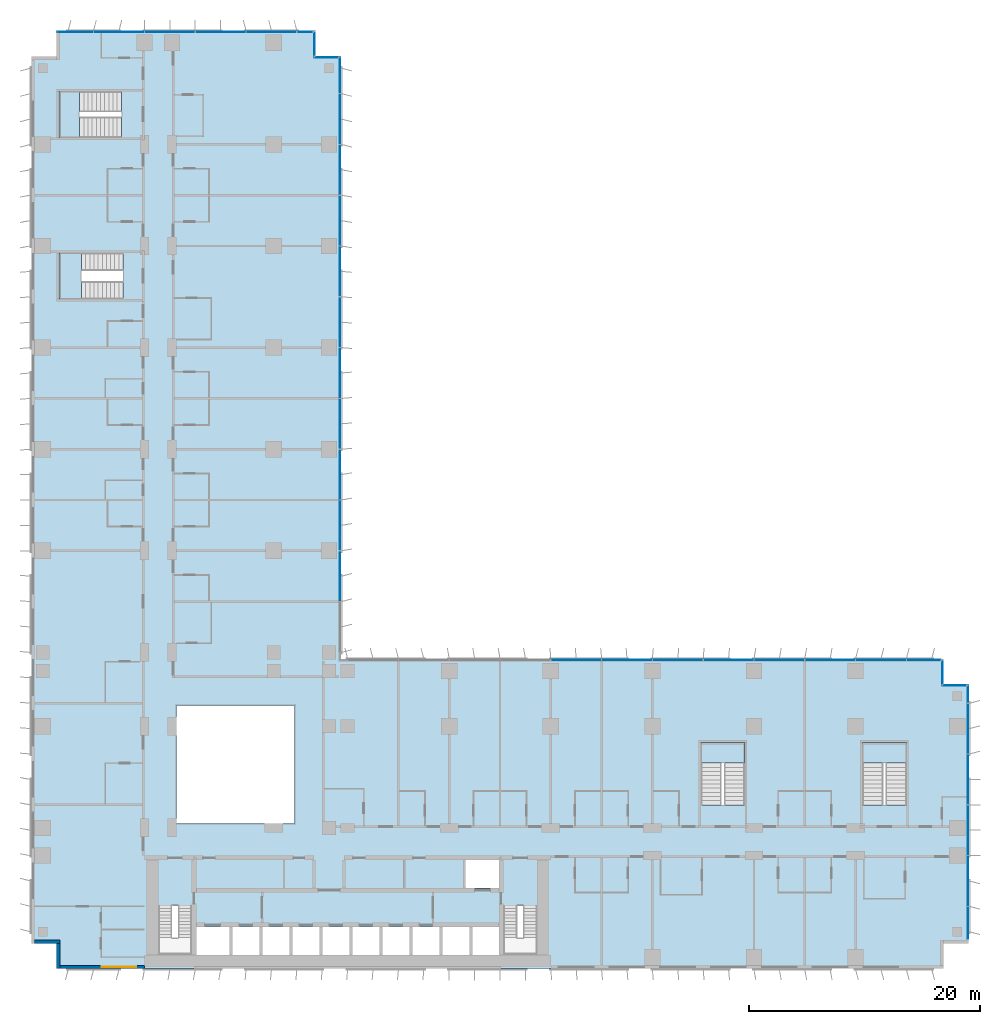
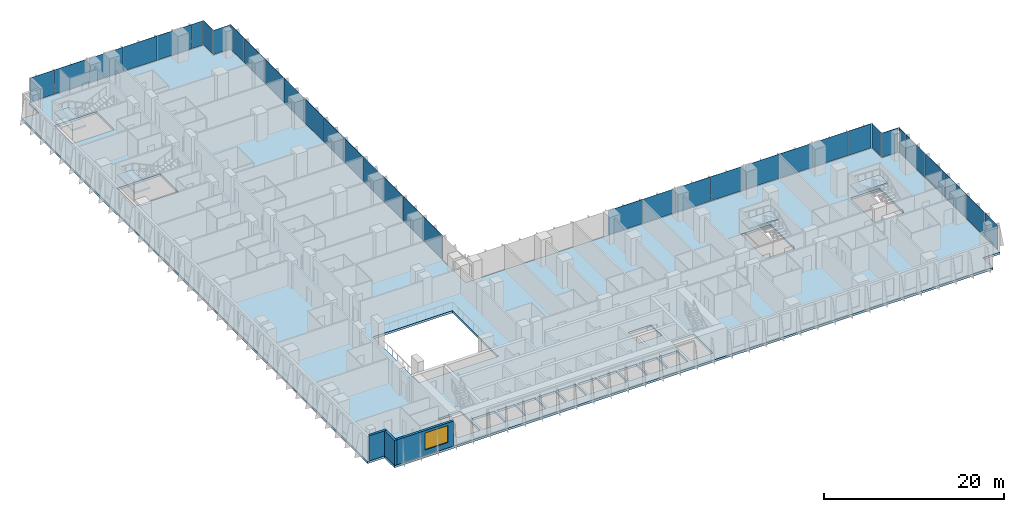
# One storey, part 11 of 24: 35 plates, 5 slabs, 3 walls, 1 window, 1 opening, 12 elements without a shape of their own.
"""IFC4 building model written with IfcOpenShell, lengths in metres."""

from ifc_helpers import new_model, si_unit, direction, frame, frame_2d, origin, origin_2d, place, context, subcontext, project, spatial, polyline, rectangle, outline, extrude, source, transform, mapped, material, layer, layer_set, type_object, element, fill, aggregate, save


model = new_model("IFC4")

# Units and contexts
model_context = context("Model", 3, precision=1e-05, world=origin(), true_north=direction((0.0, 1.0)))
body_context = subcontext(model_context, "Body", "Model", "MODEL_VIEW")
ifc_project = project(units=[si_unit("LENGTHUNIT", "METRE"), si_unit("AREAUNIT", "SQUARE_METRE"), si_unit("VOLUMEUNIT", "CUBIC_METRE"), si_unit("PLANEANGLEUNIT", "RADIAN"), si_unit("MASSUNIT", "GRAM", prefix="KILO")], contexts=[model_context])

# Site, building, storey
site_placement = place(None, origin())
site = spatial("IfcSite", under=ifc_project, at=site_placement, CompositionType="ELEMENT")
building_placement = place(site_placement, origin())
building = spatial("IfcBuilding", under=site, at=building_placement, Name="Kemantara Hotel Tower", CompositionType="ELEMENT")
storey_placement = place(building_placement, frame((0.0, 0.0, 37.699951171875)))
storey = spatial("IfcBuildingStorey", under=building, at=storey_placement, Name="L07", CompositionType="ELEMENT", Elevation=37.699951171875)

# Slab
ifc_material_1 = material(Name="Concrete fc 40 MPa", Category="concrete")
ifc_layer_1 = layer(ifc_material_1, 0.300048828125)
ifc_layer_set_1 = layer_set([ifc_layer_1], Name="Concrete fc 40 MPa")
slab_type_1 = type_object("IfcSlabType", Name="POST-TENSIONED FLAT PLATE 300", PredefinedType="FLOOR", material=ifc_layer_set_1)
slab_1_placement = place(storey_placement, frame((0.0, 0.0, -0.300048828125)))
element("IfcSlab", 1, at=slab_1_placement, inside=storey, type_object=slab_type_1, Name="FLOOR SLAB L07", PredefinedType="FLOOR", context=body_context, shape_type="SweptSolid", body=[
    extrude(outline(polyline([(0.0, 2.199951171875), (2.199951171875, 2.199951171875), (2.199951171875, 0.0), (79.0, 0.0), (79.0, 2.199951171875), (81.199951171875, 2.199951171875), (81.199951171875, 24.60009765625), (79.0, 24.60009765625), (79.0, 26.800048828125), (26.800048828125, 26.800048828125), (26.800048828125, 79.0), (24.60009765625, 79.0), (24.60009765625, 81.199951171875), (2.199951171875, 81.199951171875), (2.199951171875, 79.0), (0.0, 79.0), (0.0, 2.199951171875)]), holes=[polyline([(17.175048828125, 1.199951171875), (14.22509765625, 1.199951171875), (14.22509765625, 3.60009765625), (17.175048828125, 3.60009765625), (17.175048828125, 1.199951171875)]), polyline([(19.77490234375, 1.199951171875), (17.425048828125, 1.199951171875), (17.425048828125, 3.60009765625), (19.77490234375, 3.60009765625), (19.77490234375, 1.199951171875)]), polyline([(22.375, 1.199951171875), (20.02490234375, 1.199951171875), (20.02490234375, 3.60009765625), (22.375, 3.60009765625), (22.375, 1.199951171875)]), polyline([(24.97509765625, 1.199951171875), (22.625, 1.199951171875), (22.625, 3.60009765625), (24.97509765625, 3.60009765625), (24.97509765625, 1.199951171875)]), polyline([(27.574951171875, 1.199951171875), (25.22509765625, 1.199951171875), (25.22509765625, 3.60009765625), (27.574951171875, 3.60009765625), (27.574951171875, 1.199951171875)]), polyline([(11.0, 1.199951171875), (11.0, 5.49951171875), (13.89990234375, 5.49951171875), (13.89990234375, 1.199951171875), (11.0, 1.199951171875)]), polyline([(22.800048828125, 12.60009765625), (12.60009765625, 12.60009765625), (12.60009765625, 22.800048828125), (22.800048828125, 22.800048828125), (22.800048828125, 12.60009765625)]), polyline([(7.949462890625, 62.0), (7.949462890625, 58.0), (2.39990234375, 58.0), (2.39990234375, 62.0), (7.949462890625, 62.0)]), polyline([(7.79931640625, 76.0), (7.79931640625, 72.0), (2.39990234375, 72.0), (2.39990234375, 76.0), (7.79931640625, 76.0)]), polyline([(30.175048828125, 1.199951171875), (27.824951171875, 1.199951171875), (27.824951171875, 3.60009765625), (30.175048828125, 3.60009765625), (30.175048828125, 1.199951171875)]), polyline([(32.77490234375, 1.199951171875), (30.425048828125, 1.199951171875), (30.425048828125, 3.60009765625), (32.77490234375, 3.60009765625), (32.77490234375, 1.199951171875)]), polyline([(35.375, 1.199951171875), (33.02490234375, 1.199951171875), (33.02490234375, 3.60009765625), (35.375, 3.60009765625), (35.375, 1.199951171875)]), polyline([(37.97509765625, 1.199951171875), (35.625, 1.199951171875), (35.625, 3.60009765625), (37.97509765625, 3.60009765625), (37.97509765625, 1.199951171875)]), polyline([(40.574951171875, 1.199951171875), (38.22509765625, 1.199951171875), (38.22509765625, 3.60009765625), (40.574951171875, 3.60009765625), (40.574951171875, 1.199951171875)]), polyline([(40.89990234375, 1.199951171875), (40.89990234375, 5.49951171875), (43.800048828125, 5.49951171875), (43.800048828125, 1.199951171875), (40.89990234375, 1.199951171875)]), polyline([(40.574951171875, 7.0), (37.625, 7.0), (37.625, 9.39990234375), (40.574951171875, 9.39990234375), (40.574951171875, 7.0)]), polyline([(61.800048828125, 14.20068359375), (58.0, 14.20068359375), (58.0, 19.60009765625), (61.800048828125, 19.60009765625), (61.800048828125, 14.20068359375)]), polyline([(75.800048828125, 14.20068359375), (72.0, 14.20068359375), (72.0, 19.60009765625), (75.800048828125, 19.60009765625), (75.800048828125, 14.20068359375)])]), origin(), (0.0, 0.0, 1.0), 0.300048828125),
])

# Stair, slab
stair_type_1 = type_object("IfcStairType", Name="Stair 1800 wide 22 risers of 168 x 360 mm", PredefinedType="HALF_TURN_STAIR", material=ifc_material_1)
stair_1_placement = place(storey_placement, origin())
stair_1 = element("IfcStair", 2, at=stair_1_placement, inside=storey, type_object=stair_type_1, Name="L07 Exit stair ST3", PredefinedType="HALF_TURN_STAIR")
ifc_layer_2 = layer(ifc_material_1, 0.199951171875)
ifc_layer_set_2 = layer_set([ifc_layer_2], Name="Concrete fc 40 MPa")
slab_type_2 = type_object("IfcSlabType", Name="Stair landing 200 mm", PredefinedType="LANDING", material=ifc_layer_set_2)
slab_2_placement = place(storey_placement, frame((0.0, 0.0, 1.650146484375)))
slab_2 = element("IfcSlab", 3, at=slab_2_placement, type_object=slab_type_2, Name="ST3 landing 1", PredefinedType="LANDING", context=body_context, shape_type="SweptSolid", body=[
    extrude(outline(polyline([(61.800048828125, 17.800048828125), (61.800048828125, 19.60009765625), (58.0, 19.60009765625), (58.0, 17.800048828125), (61.800048828125, 17.800048828125)])), origin(), (0.0, 0.0, 1.0), 0.199951171875),
])
aggregate(stair_1, [slab_2])

stair_type_2 = type_object("IfcStairType", Name="Stair 1550 wide 22 risers of 168 x 360 mm", PredefinedType="HALF_TURN_STAIR", material=ifc_material_1)
stair_2_placement = place(storey_placement, origin())
stair_2 = element("IfcStair", 4, at=stair_2_placement, inside=storey, type_object=stair_type_2, Name="L07 Exit stair ST4", PredefinedType="HALF_TURN_STAIR")
slab_3_placement = place(storey_placement, frame((0.0, 0.0, 1.650146484375)))
slab_3 = element("IfcSlab", 5, at=slab_3_placement, type_object=slab_type_2, Name="ST4 landing 1", PredefinedType="LANDING", context=body_context, shape_type="SweptSolid", body=[
    extrude(outline(polyline([(4.35009765625, 62.0), (2.39990234375, 62.0), (2.39990234375, 58.0), (4.35009765625, 58.0), (4.35009765625, 62.0)])), origin(), (0.0, 0.0, 1.0), 0.199951171875),
])
aggregate(stair_2, [slab_3])

stair_3_placement = place(storey_placement, origin())
stair_3 = element("IfcStair", 6, at=stair_3_placement, inside=storey, type_object=stair_type_1, Name="L07 Exit stair ST5", PredefinedType="HALF_TURN_STAIR")
slab_4_placement = place(storey_placement, frame((0.0, 0.0, 1.650146484375)))
slab_4 = element("IfcSlab", 7, at=slab_4_placement, type_object=slab_type_2, Name="ST5 landing 1", PredefinedType="LANDING", context=body_context, shape_type="SweptSolid", body=[
    extrude(outline(polyline([(75.800048828125, 17.800048828125), (75.800048828125, 19.60009765625), (72.0, 19.60009765625), (72.0, 17.800048828125), (75.800048828125, 17.800048828125)])), origin(), (0.0, 0.0, 1.0), 0.199951171875),
])
aggregate(stair_3, [slab_4])

stair_4_placement = place(storey_placement, origin())
stair_4 = element("IfcStair", 8, at=stair_4_placement, inside=storey, type_object=stair_type_1, Name="L07 Exit stair ST6", PredefinedType="HALF_TURN_STAIR")
slab_5_placement = place(storey_placement, frame((0.0, 0.0, 1.650146484375)))
slab_5 = element("IfcSlab", 9, at=slab_5_placement, type_object=slab_type_2, Name="ST6 landing 1", PredefinedType="LANDING", context=body_context, shape_type="SweptSolid", body=[
    extrude(outline(polyline([(4.199951171875, 76.0), (2.39990234375, 76.0), (2.39990234375, 72.0), (4.199951171875, 72.0), (4.199951171875, 76.0)])), origin(), (0.0, 0.0, 1.0), 0.199951171875),
])
aggregate(stair_4, [slab_5])

# Curtain wall, plates
ifc_material_2 = material(Name="Low-E tinted double insulated glass 36 mm", Category="glass")
curtain_wall_type = type_object("IfcCurtainWallType", Name="TOWER CURTAIN WALL, FRONT FACES", PredefinedType="USERDEFINED", material=ifc_material_2)
curtain_wall_1_placement = place(storey_placement, origin())
curtain_wall_1 = element("IfcCurtainWall", 10, at=curtain_wall_1_placement, inside=storey, type_object=curtain_wall_type, Name="CW4 L07 T1-R04-1", ObjectType="TOWER CURTAIN WALL, FRONT FACES", PredefinedType="USERDEFINED")
ifc_layer_3 = layer(ifc_material_2, 0.035888671875)
ifc_layer_set_3 = layer_set([ifc_layer_3], Name="Low-E tinted double insulated glass 36 mm")
plate_type = type_object("IfcPlateType", Name="TOWER CURTAIN WALL, FRONT FACES PANEL", PredefinedType="CURTAIN_PANEL", material=ifc_layer_set_3)
shared_shape_1 = source(origin(), body_context, "Body", "SweptSolid", [
    extrude(rectangle(XDim=2.81005859375, YDim=0.035888671875, at=origin_2d()), origin(), (0.0, 0.0, 1.0), 3.280029296875),
])
plate_1_placement = place(storey_placement, frame((81.125, 3.965087890625, 0.1201171875), z_axis=(0.0, 0.0, 1.0), x_axis=(0.0, 1.0, 0.0)))
plate_1 = element("IfcPlate", 11, at=plate_1_placement, type_object=plate_type, Name="CW4 glass panel T1-R04-1.1", PredefinedType="CURTAIN_PANEL", context=body_context, shape_type="MappedRepresentation", body=[
    mapped(shared_shape_1, transform((0.0, 0.0, 0.0))),
])
shared_shape_2 = source(origin(), body_context, "Body", "SweptSolid", [
    extrude(rectangle(XDim=4.340087890625, YDim=0.035888671875, at=origin_2d()), origin(), (0.0, 0.0, 1.0), 3.280029296875),
])
plate_2_placement = place(storey_placement, frame((81.125, 7.60009765625, 0.1201171875), z_axis=(0.0, 0.0, 1.0), x_axis=(0.0, 1.0, 0.0)))
plate_2 = element("IfcPlate", 12, at=plate_2_placement, type_object=plate_type, Name="CW4 glass panel T1-R04-1.2", PredefinedType="CURTAIN_PANEL", context=body_context, shape_type="MappedRepresentation", body=[
    mapped(shared_shape_2, transform((0.0, 0.0, 0.0))),
])
plate_3_placement = place(storey_placement, frame((81.125, 12.0, 0.1201171875), z_axis=(0.0, 0.0, 1.0), x_axis=(0.0, 1.0, 0.0)))
plate_3 = element("IfcPlate", 13, at=plate_3_placement, type_object=plate_type, Name="CW4 glass panel T1-R04-1.3", PredefinedType="CURTAIN_PANEL", context=body_context, shape_type="MappedRepresentation", body=[
    mapped(shared_shape_2, transform((0.0, 0.0, 0.0))),
])
plate_4_placement = place(storey_placement, frame((81.125, 16.39990234375, 0.1201171875), z_axis=(0.0, 0.0, 1.0), x_axis=(0.0, 1.0, 0.0)))
plate_4 = element("IfcPlate", 14, at=plate_4_placement, type_object=plate_type, Name="CW4 glass panel T1-R04-1.4", PredefinedType="CURTAIN_PANEL", context=body_context, shape_type="MappedRepresentation", body=[
    mapped(shared_shape_2, transform((0.0, 0.0, 0.0))),
])
plate_5_placement = place(storey_placement, frame((81.125, 20.800048828125, 0.1201171875), z_axis=(0.0, 0.0, 1.0), x_axis=(0.0, 1.0, 0.0)))
plate_5 = element("IfcPlate", 15, at=plate_5_placement, type_object=plate_type, Name="CW4 glass panel T1-R04-1.5", PredefinedType="CURTAIN_PANEL", context=body_context, shape_type="MappedRepresentation", body=[
    mapped(shared_shape_2, transform((0.0, 0.0, 0.0))),
])

curtain_wall_2_placement = place(storey_placement, origin())
curtain_wall_2 = element("IfcCurtainWall", 16, at=curtain_wall_2_placement, inside=storey, type_object=curtain_wall_type, Name="CW4 L07 T1-R07-1", ObjectType="TOWER CURTAIN WALL, FRONT FACES", PredefinedType="USERDEFINED")
plate_6_placement = place(storey_placement, frame((73.60009765625, 26.72509765625, 0.1201171875), z_axis=(0.0, 0.0, 1.0), x_axis=(-1.0, 0.0, 0.0)))
plate_6 = element("IfcPlate", 17, at=plate_6_placement, type_object=plate_type, Name="CW4 glass panel T1-R07-1.2", PredefinedType="CURTAIN_PANEL", context=body_context, shape_type="MappedRepresentation", body=[
    mapped(shared_shape_2, transform((0.0, 0.0, 0.0))),
])
plate_7_placement = place(storey_placement, frame((69.199951171875, 26.72509765625, 0.1201171875), z_axis=(0.0, 0.0, 1.0), x_axis=(-1.0, 0.0, 0.0)))
plate_7 = element("IfcPlate", 18, at=plate_7_placement, type_object=plate_type, Name="CW4 glass panel T1-R07-1.3", PredefinedType="CURTAIN_PANEL", context=body_context, shape_type="MappedRepresentation", body=[
    mapped(shared_shape_2, transform((0.0, 0.0, 0.0))),
])
plate_8_placement = place(storey_placement, frame((64.800048828125, 26.72509765625, 0.1201171875), z_axis=(0.0, 0.0, 1.0), x_axis=(-1.0, 0.0, 0.0)))
plate_8 = element("IfcPlate", 19, at=plate_8_placement, type_object=plate_type, Name="CW4 glass panel T1-R07-1.4", PredefinedType="CURTAIN_PANEL", context=body_context, shape_type="MappedRepresentation", body=[
    mapped(shared_shape_2, transform((0.0, 0.0, 0.0))),
])
plate_9_placement = place(storey_placement, frame((60.39990234375, 26.72509765625, 0.1201171875), z_axis=(0.0, 0.0, 1.0), x_axis=(-1.0, 0.0, 0.0)))
plate_9 = element("IfcPlate", 20, at=plate_9_placement, type_object=plate_type, Name="CW4 glass panel T1-R07-1.5", PredefinedType="CURTAIN_PANEL", context=body_context, shape_type="MappedRepresentation", body=[
    mapped(shared_shape_2, transform((0.0, 0.0, 0.0))),
])
plate_10_placement = place(storey_placement, frame((56.0, 26.72509765625, 0.1201171875), z_axis=(0.0, 0.0, 1.0), x_axis=(-1.0, 0.0, 0.0)))
plate_10 = element("IfcPlate", 21, at=plate_10_placement, type_object=plate_type, Name="CW4 glass panel T1-R07-1.6", PredefinedType="CURTAIN_PANEL", context=body_context, shape_type="MappedRepresentation", body=[
    mapped(shared_shape_2, transform((0.0, 0.0, 0.0))),
])
plate_11_placement = place(storey_placement, frame((51.60009765625, 26.72509765625, 0.1201171875), z_axis=(0.0, 0.0, 1.0), x_axis=(-1.0, 0.0, 0.0)))
plate_11 = element("IfcPlate", 22, at=plate_11_placement, type_object=plate_type, Name="CW4 glass panel T1-R07-1.7", PredefinedType="CURTAIN_PANEL", context=body_context, shape_type="MappedRepresentation", body=[
    mapped(shared_shape_2, transform((0.0, 0.0, 0.0))),
])
plate_12_placement = place(storey_placement, frame((47.199951171875, 26.72509765625, 0.1201171875), z_axis=(0.0, 0.0, 1.0), x_axis=(-1.0, 0.0, 0.0)))
plate_12 = element("IfcPlate", 23, at=plate_12_placement, type_object=plate_type, Name="CW4 glass panel T1-R07-1.8", PredefinedType="CURTAIN_PANEL", context=body_context, shape_type="MappedRepresentation", body=[
    mapped(shared_shape_2, transform((0.0, 0.0, 0.0))),
])

curtain_wall_3_placement = place(storey_placement, origin())
curtain_wall_3 = element("IfcCurtainWall", 24, at=curtain_wall_3_placement, inside=storey, type_object=curtain_wall_type, Name="CW4 L07 T1-R08-1", ObjectType="TOWER CURTAIN WALL, FRONT FACES", PredefinedType="USERDEFINED")
plate_13_placement = place(storey_placement, frame((26.72509765625, 34.0, 0.1201171875), z_axis=(0.0, 0.0, 1.0), x_axis=(0.0, 1.0, 0.0)))
plate_13 = element("IfcPlate", 25, at=plate_13_placement, type_object=plate_type, Name="CW4 glass panel T1-R08-1.3", PredefinedType="CURTAIN_PANEL", context=body_context, shape_type="MappedRepresentation", body=[
    mapped(shared_shape_2, transform((0.0, 0.0, 0.0))),
])
plate_14_placement = place(storey_placement, frame((26.72509765625, 38.39990234375, 0.1201171875), z_axis=(0.0, 0.0, 1.0), x_axis=(0.0, 1.0, 0.0)))
plate_14 = element("IfcPlate", 26, at=plate_14_placement, type_object=plate_type, Name="CW4 glass panel T1-R08-1.4", PredefinedType="CURTAIN_PANEL", context=body_context, shape_type="MappedRepresentation", body=[
    mapped(shared_shape_2, transform((0.0, 0.0, 0.0))),
])
plate_15_placement = place(storey_placement, frame((26.72509765625, 42.800048828125, 0.1201171875), z_axis=(0.0, 0.0, 1.0), x_axis=(0.0, 1.0, 0.0)))
plate_15 = element("IfcPlate", 27, at=plate_15_placement, type_object=plate_type, Name="CW4 glass panel T1-R08-1.5", PredefinedType="CURTAIN_PANEL", context=body_context, shape_type="MappedRepresentation", body=[
    mapped(shared_shape_2, transform((0.0, 0.0, 0.0))),
])
plate_16_placement = place(storey_placement, frame((26.72509765625, 47.199951171875, 0.1201171875), z_axis=(0.0, 0.0, 1.0), x_axis=(0.0, 1.0, 0.0)))
plate_16 = element("IfcPlate", 28, at=plate_16_placement, type_object=plate_type, Name="CW4 glass panel T1-R08-1.6", PredefinedType="CURTAIN_PANEL", context=body_context, shape_type="MappedRepresentation", body=[
    mapped(shared_shape_2, transform((0.0, 0.0, 0.0))),
])
plate_17_placement = place(storey_placement, frame((26.72509765625, 51.60009765625, 0.1201171875), z_axis=(0.0, 0.0, 1.0), x_axis=(0.0, 1.0, 0.0)))
plate_17 = element("IfcPlate", 29, at=plate_17_placement, type_object=plate_type, Name="CW4 glass panel T1-R08-1.7", PredefinedType="CURTAIN_PANEL", context=body_context, shape_type="MappedRepresentation", body=[
    mapped(shared_shape_2, transform((0.0, 0.0, 0.0))),
])
plate_18_placement = place(storey_placement, frame((26.72509765625, 56.0, 0.1201171875), z_axis=(0.0, 0.0, 1.0), x_axis=(0.0, 1.0, 0.0)))
plate_18 = element("IfcPlate", 30, at=plate_18_placement, type_object=plate_type, Name="CW4 glass panel T1-R08-1.8", PredefinedType="CURTAIN_PANEL", context=body_context, shape_type="MappedRepresentation", body=[
    mapped(shared_shape_2, transform((0.0, 0.0, 0.0))),
])
plate_19_placement = place(storey_placement, frame((26.72509765625, 60.39990234375, 0.1201171875), z_axis=(0.0, 0.0, 1.0), x_axis=(0.0, 1.0, 0.0)))
plate_19 = element("IfcPlate", 31, at=plate_19_placement, type_object=plate_type, Name="CW4 glass panel T1-R08-1.9", PredefinedType="CURTAIN_PANEL", context=body_context, shape_type="MappedRepresentation", body=[
    mapped(shared_shape_2, transform((0.0, 0.0, 0.0))),
])
plate_20_placement = place(storey_placement, frame((26.72509765625, 64.800048828125, 0.1201171875), z_axis=(0.0, 0.0, 1.0), x_axis=(0.0, 1.0, 0.0)))
plate_20 = element("IfcPlate", 32, at=plate_20_placement, type_object=plate_type, Name="CW4 glass panel T1-R08-1.10", PredefinedType="CURTAIN_PANEL", context=body_context, shape_type="MappedRepresentation", body=[
    mapped(shared_shape_2, transform((0.0, 0.0, 0.0))),
])
plate_21_placement = place(storey_placement, frame((26.72509765625, 69.199951171875, 0.1201171875), z_axis=(0.0, 0.0, 1.0), x_axis=(0.0, 1.0, 0.0)))
plate_21 = element("IfcPlate", 33, at=plate_21_placement, type_object=plate_type, Name="CW4 glass panel T1-R08-1.11", PredefinedType="CURTAIN_PANEL", context=body_context, shape_type="MappedRepresentation", body=[
    mapped(shared_shape_2, transform((0.0, 0.0, 0.0))),
])
plate_22_placement = place(storey_placement, frame((26.72509765625, 73.60009765625, 0.1201171875), z_axis=(0.0, 0.0, 1.0), x_axis=(0.0, 1.0, 0.0)))
plate_22 = element("IfcPlate", 34, at=plate_22_placement, type_object=plate_type, Name="CW4 glass panel T1-R08-1.12", PredefinedType="CURTAIN_PANEL", context=body_context, shape_type="MappedRepresentation", body=[
    mapped(shared_shape_2, transform((0.0, 0.0, 0.0))),
])

curtain_wall_4_placement = place(storey_placement, origin())
curtain_wall_4 = element("IfcCurtainWall", 35, at=curtain_wall_4_placement, inside=storey, type_object=curtain_wall_type, Name="CW4 L07 T1-R11-1", ObjectType="TOWER CURTAIN WALL, FRONT FACES", PredefinedType="USERDEFINED")
plate_23_placement = place(storey_placement, frame((20.800048828125, 81.125, 0.1201171875), z_axis=(0.0, 0.0, 1.0), x_axis=(-1.0, 0.0, 0.0)))
plate_23 = element("IfcPlate", 36, at=plate_23_placement, type_object=plate_type, Name="CW4 glass panel T1-R11-1.2", PredefinedType="CURTAIN_PANEL", context=body_context, shape_type="MappedRepresentation", body=[
    mapped(shared_shape_2, transform((0.0, 0.0, 0.0))),
])
plate_24_placement = place(storey_placement, frame((16.39990234375, 81.125, 0.1201171875), z_axis=(0.0, 0.0, 1.0), x_axis=(-1.0, 0.0, 0.0)))
plate_24 = element("IfcPlate", 37, at=plate_24_placement, type_object=plate_type, Name="CW4 glass panel T1-R11-1.3", PredefinedType="CURTAIN_PANEL", context=body_context, shape_type="MappedRepresentation", body=[
    mapped(shared_shape_2, transform((0.0, 0.0, 0.0))),
])
plate_25_placement = place(storey_placement, frame((12.0, 81.125, 0.1201171875), z_axis=(0.0, 0.0, 1.0), x_axis=(-1.0, 0.0, 0.0)))
plate_25 = element("IfcPlate", 38, at=plate_25_placement, type_object=plate_type, Name="CW4 glass panel T1-R11-1.4", PredefinedType="CURTAIN_PANEL", context=body_context, shape_type="MappedRepresentation", body=[
    mapped(shared_shape_2, transform((0.0, 0.0, 0.0))),
])
plate_26_placement = place(storey_placement, frame((7.60009765625, 81.125, 0.1201171875), z_axis=(0.0, 0.0, 1.0), x_axis=(-1.0, 0.0, 0.0)))
plate_26 = element("IfcPlate", 39, at=plate_26_placement, type_object=plate_type, Name="CW4 glass panel T1-R11-1.5", PredefinedType="CURTAIN_PANEL", context=body_context, shape_type="MappedRepresentation", body=[
    mapped(shared_shape_2, transform((0.0, 0.0, 0.0))),
])

# Plate
shared_shape_3 = source(origin(), body_context, "Body", "SweptSolid", [
    extrude(rectangle(XDim=1.510009765625, YDim=0.035888671875, at=origin_2d()), origin(), (0.0, 0.0, 1.0), 3.280029296875),
])
plate_27_placement = place(storey_placement, frame((81.125, 23.784912109375, 0.1201171875), z_axis=(0.0, 0.0, 1.0), x_axis=(0.0, 1.0, 0.0)))
plate_27 = element("IfcPlate", 40, at=plate_27_placement, type_object=plate_type, Name="CW4 glass panel T1-R04-1.6", PredefinedType="CURTAIN_PANEL", context=body_context, shape_type="MappedRepresentation", body=[
    mapped(shared_shape_3, transform((0.0, 0.0, 0.0))),
])

aggregate(curtain_wall_1, [plate_1, plate_2, plate_3, plate_4, plate_5, plate_27])

shared_shape_4 = source(origin(), body_context, "Body", "SweptSolid", [
    extrude(rectangle(XDim=1.360107421875, YDim=0.035888671875, at=origin_2d()), origin(), (0.0, 0.0, 1.0), 3.280029296875),
])
plate_28_placement = place(storey_placement, frame((23.7099609375, 81.125, 0.1201171875), z_axis=(0.0, 0.0, 1.0), x_axis=(-1.0, 0.0, 0.0)))
plate_28 = element("IfcPlate", 41, at=plate_28_placement, type_object=plate_type, Name="CW4 glass panel T1-R11-1.1", PredefinedType="CURTAIN_PANEL", context=body_context, shape_type="MappedRepresentation", body=[
    mapped(shared_shape_4, transform((0.0, 0.0, 0.0))),
])

shared_shape_5 = source(origin(), body_context, "Body", "SweptSolid", [
    extrude(rectangle(XDim=3.110107421875, YDim=0.035888671875, at=origin_2d()), origin(), (0.0, 0.0, 1.0), 3.280029296875),
])
plate_29_placement = place(storey_placement, frame((26.72509765625, 77.385009765625, 0.1201171875), z_axis=(0.0, 0.0, 1.0), x_axis=(0.0, 1.0, 0.0)))
plate_29 = element("IfcPlate", 42, at=plate_29_placement, type_object=plate_type, Name="CW4 glass panel T1-R08-1.13", PredefinedType="CURTAIN_PANEL", context=body_context, shape_type="MappedRepresentation", body=[
    mapped(shared_shape_5, transform((0.0, 0.0, 0.0))),
])

aggregate(curtain_wall_3, [plate_13, plate_14, plate_15, plate_16, plate_17, plate_18, plate_19, plate_20, plate_21, plate_22, plate_29])

plate_30_placement = place(storey_placement, frame((3.81494140625, 81.125, 0.1201171875), z_axis=(0.0, 0.0, 1.0), x_axis=(-1.0, 0.0, 0.0)))
plate_30 = element("IfcPlate", 43, at=plate_30_placement, type_object=plate_type, Name="CW4 glass panel T1-R11-1.6", PredefinedType="CURTAIN_PANEL", context=body_context, shape_type="MappedRepresentation", body=[
    mapped(shared_shape_5, transform((0.0, 0.0, 0.0))),
])

aggregate(curtain_wall_4, [plate_28, plate_23, plate_24, plate_25, plate_26, plate_30])

# Curtain wall, plate
curtain_wall_5_placement = place(storey_placement, origin())
curtain_wall_5 = element("IfcCurtainWall", 44, at=curtain_wall_5_placement, inside=storey, type_object=curtain_wall_type, Name="CW4 L07 T1-R05-1", ObjectType="TOWER CURTAIN WALL, FRONT FACES", PredefinedType="USERDEFINED")
shared_shape_6 = source(origin(), body_context, "Body", "SweptSolid", [
    extrude(rectangle(XDim=2.080078125, YDim=0.035888671875, at=origin_2d()), origin(), (0.0, 0.0, 1.0), 3.280029296875),
])
plate_31_placement = place(storey_placement, frame((79.949951171875, 24.52490234375, 0.1201171875), z_axis=(0.0, 0.0, 1.0), x_axis=(-1.0, 0.0, 0.0)))
plate_31 = element("IfcPlate", 45, at=plate_31_placement, type_object=plate_type, Name="CW4 glass panel T1-R05-1.1", PredefinedType="CURTAIN_PANEL", context=body_context, shape_type="MappedRepresentation", body=[
    mapped(shared_shape_6, transform((0.0, 0.0, 0.0))),
])
aggregate(curtain_wall_5, [plate_31])

curtain_wall_6_placement = place(storey_placement, origin())
curtain_wall_6 = element("IfcCurtainWall", 46, at=curtain_wall_6_placement, inside=storey, type_object=curtain_wall_type, Name="CW4 L07 T1-R06-1", ObjectType="TOWER CURTAIN WALL, FRONT FACES", PredefinedType="USERDEFINED")
plate_32_placement = place(storey_placement, frame((78.925048828125, 25.699951171875, 0.1201171875), z_axis=(0.0, 0.0, 1.0), x_axis=(0.0, 1.0, 0.0)))
plate_32 = element("IfcPlate", 47, at=plate_32_placement, type_object=plate_type, Name="CW4 glass panel T1-R06-1.1", PredefinedType="CURTAIN_PANEL", context=body_context, shape_type="MappedRepresentation", body=[
    mapped(shared_shape_6, transform((0.0, 0.0, 0.0))),
])
aggregate(curtain_wall_6, [plate_32])

curtain_wall_7_placement = place(storey_placement, origin())
curtain_wall_7 = element("IfcCurtainWall", 48, at=curtain_wall_7_placement, inside=storey, type_object=curtain_wall_type, Name="CW4 L07 T1-R09-1", ObjectType="TOWER CURTAIN WALL, FRONT FACES", PredefinedType="USERDEFINED")
plate_33_placement = place(storey_placement, frame((25.550048828125, 78.925048828125, 0.1201171875), z_axis=(0.0, 0.0, 1.0), x_axis=(-1.0, 0.0, 0.0)))
plate_33 = element("IfcPlate", 49, at=plate_33_placement, type_object=plate_type, Name="CW4 glass panel T1-R09-1.1", PredefinedType="CURTAIN_PANEL", context=body_context, shape_type="MappedRepresentation", body=[
    mapped(shared_shape_6, transform((0.0, 0.0, 0.0))),
])
aggregate(curtain_wall_7, [plate_33])

curtain_wall_8_placement = place(storey_placement, origin())
curtain_wall_8 = element("IfcCurtainWall", 50, at=curtain_wall_8_placement, inside=storey, type_object=curtain_wall_type, Name="CW4 L07 T1-R10-1", ObjectType="TOWER CURTAIN WALL, FRONT FACES", PredefinedType="USERDEFINED")
plate_34_placement = place(storey_placement, frame((24.52490234375, 80.10009765625, 0.1201171875), z_axis=(0.0, 0.0, 1.0), x_axis=(0.0, 1.0, 0.0)))
plate_34 = element("IfcPlate", 51, at=plate_34_placement, type_object=plate_type, Name="CW4 glass panel T1-R10-1.1", PredefinedType="CURTAIN_PANEL", context=body_context, shape_type="MappedRepresentation", body=[
    mapped(shared_shape_6, transform((0.0, 0.0, 0.0))),
])
aggregate(curtain_wall_8, [plate_34])

# Plate
shared_shape_7 = source(origin(), body_context, "Body", "SweptSolid", [
    extrude(rectangle(XDim=2.9599609375, YDim=0.035888671875, at=origin_2d()), origin(), (0.0, 0.0, 1.0), 3.280029296875),
])
plate_35_placement = place(storey_placement, frame((77.31005859375, 26.72509765625, 0.1201171875), z_axis=(0.0, 0.0, 1.0), x_axis=(-1.0, 0.0, 0.0)))
plate_35 = element("IfcPlate", 52, at=plate_35_placement, type_object=plate_type, Name="CW4 glass panel T1-R07-1.1", PredefinedType="CURTAIN_PANEL", context=body_context, shape_type="MappedRepresentation", body=[
    mapped(shared_shape_7, transform((0.0, 0.0, 0.0))),
])

aggregate(curtain_wall_2, [plate_35, plate_6, plate_7, plate_8, plate_9, plate_10, plate_11, plate_12])

# Wall
ifc_material_3 = material(Name="Bronze anodised aluminium cladding on insulated steel stud wall", Category="steel")
ifc_layer_4 = layer(ifc_material_3, 0.300048828125)
ifc_layer_set_4 = layer_set([ifc_layer_4], Name="Bronze anodised aluminium cladding on insulated steel stud wall")
wall_type = type_object("IfcWallType", Name="BRONZE METAL-CLAD EXTERNAL WALL 300", PredefinedType="STANDARD", material=ifc_layer_set_4)
wall_1_placement = place(storey_placement, frame((2.35009765625, 2.199951171875, 0.0), z_axis=(0.0, 0.0, 1.0), x_axis=(0.0, -1.0, 0.0)))
element("IfcWall", 53, at=wall_1_placement, inside=storey, type_object=wall_type, Name="EXTERNAL WALL L07 T1-R00", PredefinedType="STANDARD", context=body_context, shape_type="SweptSolid", body=[
    extrude(rectangle(XDim=2.199951171875, YDim=0.300048828125, at=frame_2d((1.10009765625, 0.0))), origin(), (0.0, 0.0, 1.0), 3.400146484375),
])

# Wall, opening, window
wall_2_placement = place(storey_placement, frame((2.5, 0.14990234375, 0.0), z_axis=(0.0, 0.0, 1.0), x_axis=(1.0, 0.0, 0.0)))
wall_2 = element("IfcWall", 54, at=wall_2_placement, inside=storey, type_object=wall_type, Name="EXTERNAL WALL L07 T1-R01", PredefinedType="STANDARD", context=body_context, shape_type="SweptSolid", body=[
    extrude(rectangle(XDim=7.300048828125, YDim=0.300048828125, at=frame_2d((3.64990234375, 0.0))), origin(), (0.0, 0.0, 1.0), 3.400146484375),
])
opening_placement = place(wall_2_placement, frame((3.60009765625, 0.0, 0.75)))
opening = element("IfcOpeningElement", 55, at=opening_placement, cuts=wall_2, Name="Opening W1", PredefinedType="OPENING", context=body_context, shape_type="SweptSolid", body=[
    extrude(rectangle(XDim=3.0, YDim=2.300048828125, at=frame_2d((1.5, 1.14990234375))), frame((0.0, 0.159912109375, 0.0), z_axis=(0.0, -1.0, 0.0), x_axis=(1.0, 0.0, 0.0)), (0.0, 0.0, 1.0), 0.320068359375),
])
ifc_material_4 = material(Name="Low-E tinted double insulated glass in bronze anodised aluminium frame", Category="aluminium")
window_type = type_object("IfcWindowType", Name="CHICAGO WINDOW, TRIPLE PANEL 3000x2300", PartitioningType="TRIPLE_PANEL_VERTICAL", PredefinedType="WINDOW", material=ifc_material_4)
window_placement = place(opening_placement, origin())
window = element("IfcWindow", 56, at=window_placement, inside=storey, type_object=window_type, Name="CHICAGO WINDOW L07 T1-R01-54", OverallHeight=2.300048828125, OverallWidth=3.0, PartitioningType="SINGLE_PANEL", PredefinedType="WINDOW", context=body_context, shape_type="SweptSolid", body=[
    extrude(rectangle(XDim=3.0, YDim=2.300048828125, at=frame_2d((1.5, 1.14990234375))), frame((0.0, 0.030029296875, 0.0), z_axis=(0.0, -1.0, 0.0), x_axis=(1.0, 0.0, 0.0)), (0.0, 0.0, 1.0), 0.06005859375),
])
fill(opening, window)

# Wall
wall_3_placement = place(storey_placement, frame((0.300048828125, 2.35009765625, 0.0), z_axis=(0.0, 0.0, 1.0), x_axis=(1.0, 0.0, 0.0)))
element("IfcWall", 57, at=wall_3_placement, inside=storey, type_object=wall_type, Name="EXTERNAL WALL L07 T1-R15", PredefinedType="STANDARD", context=body_context, shape_type="SweptSolid", body=[
    extrude(rectangle(XDim=2.199951171875, YDim=0.300048828125, at=frame_2d((1.10009765625, 0.0))), origin(), (0.0, 0.0, 1.0), 3.400146484375),
])

save(model, "model.ifc")
